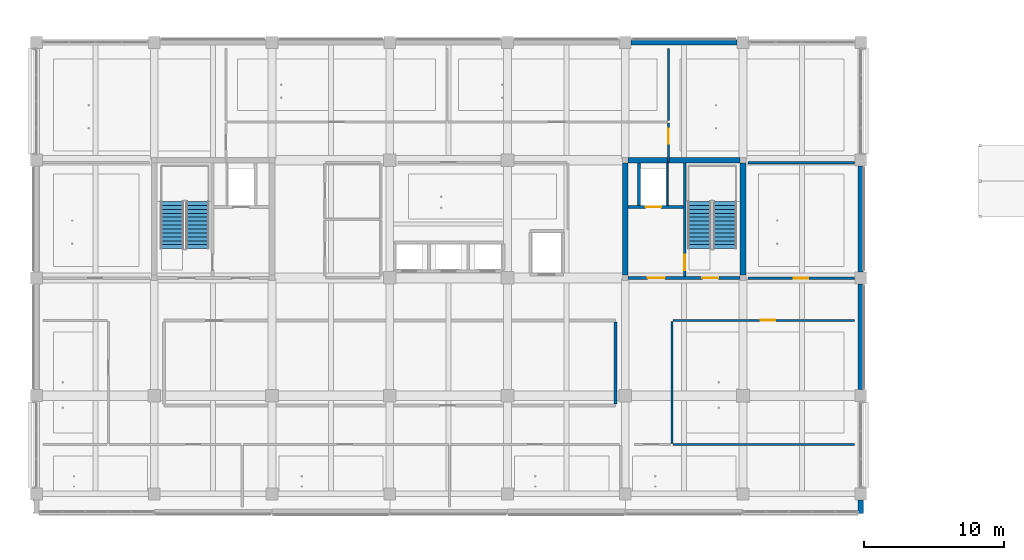
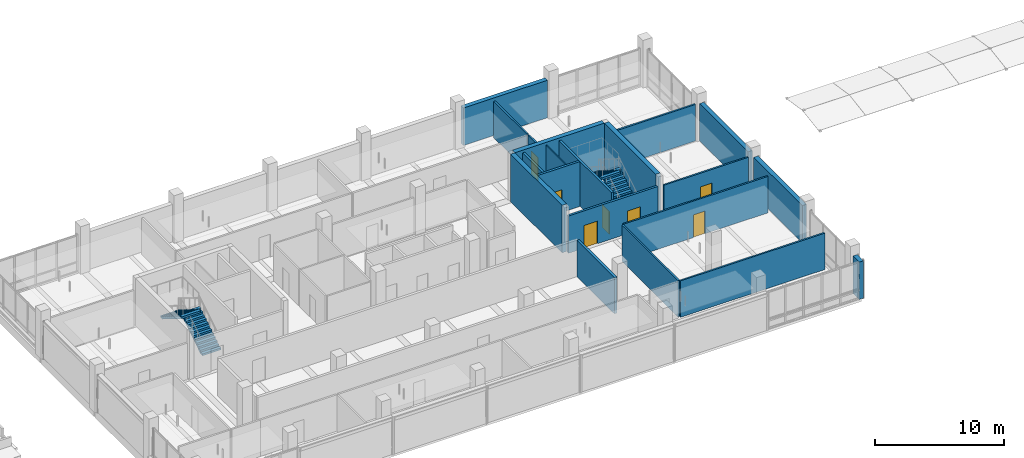
# One storey, part 14 of 39: 20 walls, 7 doors, 4 stair flights, 7 openings, 2 elements without a shape of their own.
"""IFC4 building model written with IfcOpenShell, lengths in metres."""

from ifc_helpers import new_model, si_unit, direction, frame, frame_2d, origin, place, context, subcontext, project, spatial, polyline, rectangle, outline, extrude, material, layer, layer_set, type_object, element, fill, aggregate, save


model = new_model("IFC4")

# Units and contexts
model_context = context("Model", 3, precision=1e-05, world=origin(), true_north=direction((0.0, 1.0)))
body_context = subcontext(model_context, "Body", "Model", "MODEL_VIEW")
ifc_project = project(units=[si_unit("LENGTHUNIT", "METRE"), si_unit("AREAUNIT", "SQUARE_METRE"), si_unit("VOLUMEUNIT", "CUBIC_METRE"), si_unit("PLANEANGLEUNIT", "RADIAN"), si_unit("MASSUNIT", "GRAM", prefix="KILO")], contexts=[model_context])

# Site, building, storey
site_placement = place(None, origin())
site = spatial("IfcSite", under=ifc_project, at=site_placement, CompositionType="ELEMENT")
building_placement = place(site_placement, origin())
building = spatial("IfcBuilding", under=site, at=building_placement, Name="Telukmera Botanical Conservatory", CompositionType="ELEMENT")
storey_placement = place(building_placement, frame((0.0, 0.0, 19.5)))
storey = spatial("IfcBuildingStorey", under=building, at=storey_placement, Name="L04", CompositionType="ELEMENT", Elevation=19.5)

# Walls
ifc_material_1 = material(Name="Terracotta-faced precast concrete C40/50", Category="masonry")
ifc_layer_1 = layer(ifc_material_1, 0.3798828125)
ifc_layer_set_1 = layer_set([ifc_layer_1], Name="Terracotta-faced precast concrete C40/50")
wall_type_1 = type_object("IfcWallType", Name="Exterior Herbarium Vault Insulated Precast Wall 380", PredefinedType="SOLIDWALL", material=ifc_layer_set_1)
wall_1_placement = place(storey_placement, frame((109.199951171875, 9.199951171875, 0.0), z_axis=(0.0, 0.0, 1.0), x_axis=(0.0, 1.0, 0.0)))
element("IfcWall", 1, at=wall_1_placement, inside=storey, type_object=wall_type_1, Name="Exterior Precast Wall EW04 V4:L04:SEC", PredefinedType="SOLIDWALL", context=body_context, shape_type="SweptSolid", body=[
    extrude(rectangle(XDim=0.97314453125, YDim=0.3798828125, at=frame_2d((0.486572265625, 0.0))), origin(), (0.0, 0.0, 1.0), 3.550048828125),
])
wall_2_placement = place(storey_placement, frame((92.826904296875, 42.800048828125, 0.0), z_axis=(0.0, 0.0, 1.0), x_axis=(1.0, 0.0, 0.0)))
element("IfcWall", 2, at=wall_2_placement, inside=storey, type_object=wall_type_1, Name="Exterior Precast Wall EW04 V4:L04:N6", PredefinedType="SOLIDWALL", context=body_context, shape_type="SweptSolid", body=[
    extrude(rectangle(XDim=7.546142578125, YDim=0.3798828125, at=frame_2d((3.77294921875, 0.0))), origin(), (0.0, 0.0, 1.0), 3.550048828125),
])
for number, where, z_axis, x_axis, name in (
    (3, (109.199951171875, 18.027099609375, 0.0), (0.0, 0.0, 1.0), (0.0, 1.0, 0.0), "Exterior Precast Wall EW04 V4:L04:E2"),
    (4, (109.199951171875, 26.427001953125, 0.0), (0.0, 0.0, 1.0), (0.0, 1.0, 0.0), "Exterior Precast Wall EW04 V4:L04:E3"),
):
    element("IfcWall", number, at=place(storey_placement, frame(where, z_axis=z_axis, x_axis=x_axis)), inside=storey, type_object=wall_type_1, Name=name, PredefinedType="SOLIDWALL", context=body_context, shape_type="SweptSolid", body=[
        extrude(rectangle(XDim=7.5458984375, YDim=0.3798828125, at=frame_2d((3.77294921875, 0.0))), origin(), (0.0, 0.0, 1.0), 3.550048828125),
    ])

# Wall, openings, doors
ifc_material_2 = material(Name="Concrete C40/50", Category="concrete")
ifc_layer_2 = layer(ifc_material_2, 0.199951171875)
ifc_layer_set_2 = layer_set([ifc_layer_2], Name="Concrete C40/50")
wall_type_2 = type_object("IfcWallType", Name="WT-CORE-200", PredefinedType="SOLIDWALL", material=ifc_layer_set_2)
wall_3_placement = place(storey_placement, frame((92.60009765625, 26.0, 0.0), z_axis=(0.0, 0.0, 1.0), x_axis=(1.0, 0.0, 0.0)))
wall_3 = element("IfcWall", 5, at=wall_3_placement, inside=storey, type_object=wall_type_2, Name="L04 Core C2 South Fire Wall", PredefinedType="SOLIDWALL", context=body_context, shape_type="SweptSolid", body=[
    extrude(rectangle(XDim=8.0, YDim=0.199951171875, at=frame_2d((4.0, 0.0))), origin(), (0.0, 0.0, 1.0), 3.530029296875),
])
opening_1_placement = place(wall_3_placement, frame((1.39990234375, 0.0, 0.0)))
opening_1 = element("IfcOpeningElement", 6, at=opening_1_placement, cuts=wall_3, Name="Opening FD60C", PredefinedType="OPENING", context=body_context, shape_type="SweptSolid", body=[
    extrude(rectangle(XDim=1.219970703125, YDim=2.14990234375, at=frame_2d((0.60986328125, 1.074951171875))), frame((0.0, 0.10986328125, 0.0), z_axis=(0.0, -1.0, 0.0), x_axis=(1.0, 0.0, 0.0)), (0.0, 0.0, 1.0), 0.219970703125),
])
opening_2_placement = place(wall_3_placement, frame((5.300048828125, 0.0, 0.0)))
opening_2 = element("IfcOpeningElement", 7, at=opening_2_placement, cuts=wall_3, Name="Opening FD60A", PredefinedType="OPENING", context=body_context, shape_type="SweptSolid", body=[
    extrude(rectangle(XDim=1.14990234375, YDim=2.14990234375, at=frame_2d((0.574951171875, 1.074951171875))), frame((0.0, 0.10986328125, 0.0), z_axis=(0.0, -1.0, 0.0), x_axis=(1.0, 0.0, 0.0)), (0.0, 0.0, 1.0), 0.219970703125),
])
ifc_material_3 = material(Name="Hardwood fire door", Category="wood")
door_type_1 = type_object("IfcDoorType", Name="DT-FD60-01", OperationType="NOTDEFINED", PredefinedType="DOOR", material=ifc_material_3)
door_1_placement = place(opening_2_placement, origin())
door_1 = element("IfcDoor", 8, at=door_1_placement, inside=storey, type_object=door_type_1, Name="L04 Stair ST2 Escape Door", OperationType="SINGLE_SWING_LEFT", OverallHeight=2.14990234375, OverallWidth=1.14990234375, PredefinedType="DOOR", context=body_context, shape_type="SweptSolid", body=[
    extrude(rectangle(XDim=1.14990234375, YDim=2.14990234375, at=frame_2d((0.574951171875, 1.074951171875))), frame((0.0, 0.02490234375, 0.0), z_axis=(0.0, -1.0, 0.0), x_axis=(1.0, 0.0, 0.0)), (0.0, 0.0, 1.0), 0.050048828125),
])
fill(opening_2, door_1)
door_type_2 = type_object("IfcDoorType", Name="DT-FD60-03", OperationType="NOTDEFINED", PredefinedType="DOOR", material=ifc_material_3)
door_2_placement = place(opening_1_placement, origin())
door_2 = element("IfcDoor", 9, at=door_2_placement, inside=storey, type_object=door_type_2, Name="L04 Firefighting Lobby C2 Door", OperationType="SINGLE_SWING_RIGHT", OverallHeight=2.14990234375, OverallWidth=1.219970703125, PredefinedType="DOOR", context=body_context, shape_type="SweptSolid", body=[
    extrude(rectangle(XDim=1.219970703125, YDim=2.14990234375, at=frame_2d((0.60986328125, 1.074951171875))), frame((0.0, 0.02490234375, 0.0), z_axis=(0.0, -1.0, 0.0), x_axis=(1.0, 0.0, 0.0)), (0.0, 0.0, 1.0), 0.050048828125),
])
fill(opening_1, door_2)

# Wall, opening, door
wall_4_placement = place(storey_placement, frame((96.64990234375, 26.10009765625, 0.0), z_axis=(0.0, 0.0, 1.0), x_axis=(0.0, 1.0, 0.0)))
wall_4 = element("IfcWall", 10, at=wall_4_placement, inside=storey, type_object=wall_type_2, Name="L04 Core C2 Stair-Lobby Wall", PredefinedType="SOLIDWALL", context=body_context, shape_type="SweptSolid", body=[
    extrude(rectangle(XDim=8.099853515625, YDim=0.199951171875, at=frame_2d((4.0498046875, 0.0))), origin(), (0.0, 0.0, 1.0), 4.25),
])
opening_3_placement = place(wall_4_placement, frame((0.449951171875, 0.0, 0.0)))
opening_3 = element("IfcOpeningElement", 11, at=opening_3_placement, cuts=wall_4, Name="Opening FD60B", PredefinedType="OPENING", context=body_context, shape_type="SweptSolid", body=[
    extrude(rectangle(XDim=1.1201171875, YDim=2.14990234375, at=frame_2d((0.56005859375, 1.074951171875))), frame((0.0, 0.10986328125, 0.0), z_axis=(0.0, -1.0, 0.0), x_axis=(1.0, 0.0, 0.0)), (0.0, 0.0, 1.0), 0.219970703125),
])
door_type_3 = type_object("IfcDoorType", Name="DT-FD60-02", OperationType="NOTDEFINED", PredefinedType="DOOR", material=ifc_material_3)
door_3_placement = place(opening_3_placement, frame((1.1201171875, 0.0, 0.0), z_axis=(0.0, 0.0, 1.0), x_axis=(-1.0, 0.0, 0.0)))
door_3 = element("IfcDoor", 12, at=door_3_placement, inside=storey, type_object=door_type_3, Name="L04 Firefighting Lobby C2 to ST2 Door", OperationType="SINGLE_SWING_RIGHT", OverallHeight=2.14990234375, OverallWidth=1.1201171875, PredefinedType="DOOR", context=body_context, shape_type="SweptSolid", body=[
    extrude(rectangle(XDim=1.1201171875, YDim=2.14990234375, at=frame_2d((0.56005859375, 1.074951171875))), frame((0.0, 0.02490234375, 0.0), z_axis=(0.0, -1.0, 0.0), x_axis=(1.0, 0.0, 0.0)), (0.0, 0.0, 1.0), 0.050048828125),
])
fill(opening_3, door_3)

wall_5_placement = place(storey_placement, frame((92.60009765625, 31.050048828125, 0.0), z_axis=(0.0, 0.0, 1.0), x_axis=(1.0, 0.0, 0.0)))
wall_5 = element("IfcWall", 13, at=wall_5_placement, inside=storey, type_object=wall_type_2, Name="L04 Fire Lift FL2 Shaft Front Wall", PredefinedType="SOLIDWALL", context=body_context, shape_type="SweptSolid", body=[
    extrude(rectangle(XDim=3.949951171875, YDim=0.199951171875, at=frame_2d((1.97509765625, 0.0))), origin(), (0.0, 0.0, 1.0), 4.25),
])
opening_4_placement = place(wall_5_placement, frame((1.25, 0.0, 0.0)))
opening_4 = element("IfcOpeningElement", 14, at=opening_4_placement, cuts=wall_5, Name="Opening LD01", PredefinedType="OPENING", context=body_context, shape_type="SweptSolid", body=[
    extrude(rectangle(XDim=1.10009765625, YDim=2.14990234375, at=frame_2d((0.550048828125, 1.074951171875))), frame((0.0, 0.10986328125, 0.0), z_axis=(0.0, -1.0, 0.0), x_axis=(1.0, 0.0, 0.0)), (0.0, 0.0, 1.0), 0.219970703125),
])
ifc_material_4 = material(Name="Stainless steel 316", Category="steel")
door_type_4 = type_object("IfcDoorType", Name="DT-LD01", OperationType="SLIDING_TO_LEFT", PredefinedType="DOOR", material=ifc_material_4)
door_4_placement = place(opening_4_placement, frame((1.10009765625, 0.0, 0.0), z_axis=(0.0, 0.0, 1.0), x_axis=(-1.0, 0.0, 0.0)))
door_4 = element("IfcDoor", 15, at=door_4_placement, inside=storey, type_object=door_type_4, Name="L04 Lift Landing Door FL2", OperationType="SLIDING_TO_LEFT", OverallHeight=2.14990234375, OverallWidth=1.10009765625, PredefinedType="DOOR", context=body_context, shape_type="SweptSolid", body=[
    extrude(rectangle(XDim=1.10009765625, YDim=2.14990234375, at=frame_2d((0.550048828125, 1.074951171875))), frame((0.0, 0.02490234375, 0.0), z_axis=(0.0, -1.0, 0.0), x_axis=(1.0, 0.0, 0.0)), (0.0, 0.0, 1.0), 0.050048828125),
])
fill(opening_4, door_4)

# Walls
wall_6_placement = place(storey_placement, frame((93.3798828125, 31.14990234375, 0.0), z_axis=(0.0, 0.0, 1.0), x_axis=(0.0, 1.0, 0.0)))
element("IfcWall", 16, at=wall_6_placement, inside=storey, type_object=wall_type_2, Name="L04 Fire Lift FL2 Shaft West Wall", PredefinedType="SOLIDWALL", context=body_context, shape_type="SweptSolid", body=[
    extrude(rectangle(XDim=3.050048828125, YDim=0.199951171875, at=frame_2d((1.52490234375, 0.0))), origin(), (0.0, 0.0, 1.0), 4.25),
])
ifc_material_5 = material(Name="Gypsum acoustic stud partition")
ifc_layer_3 = layer(ifc_material_5, 0.159912109375)
ifc_layer_set_3 = layer_set([ifc_layer_3], Name="Gypsum acoustic stud partition")
wall_type_3 = type_object("IfcWallType", Name="WT-LAB-160", PredefinedType="PARTITIONING", material=ifc_layer_set_3)
wall_7_placement = place(storey_placement, frame((101.14990234375, 34.22509765625, 0.0), z_axis=(0.0, 0.0, 1.0), x_axis=(1.0, 0.0, 0.0)))
element("IfcWall", 17, at=wall_7_placement, inside=storey, type_object=wall_type_3, Name="L04 Interior Partition 12", PredefinedType="PARTITIONING", context=body_context, shape_type="SweptSolid", body=[
    extrude(rectangle(XDim=7.59521484375, YDim=0.159912109375, at=frame_2d((3.797607421875, 0.0))), origin(), (0.0, 0.0, 1.0), 3.449951171875),
])

# Wall, opening, door
wall_8_placement = place(storey_placement, frame((95.47509765625, 34.300048828125, 0.0), z_axis=(0.0, 0.0, 1.0), x_axis=(0.0, 1.0, 0.0)))
wall_8 = element("IfcWall", 18, at=wall_8_placement, inside=storey, type_object=wall_type_3, Name="L04 Interior Partition 30", PredefinedType="PARTITIONING", context=body_context, shape_type="SweptSolid", body=[
    extrude(rectangle(XDim=2.73486328125, YDim=0.159912109375, at=frame_2d((1.367431640625, 0.0))), origin(), (0.0, 0.0, 1.0), 3.449951171875),
])
opening_5_placement = place(wall_8_placement, frame((1.278076171875, 0.0, 0.0)))
opening_5 = element("IfcOpeningElement", 19, at=opening_5_placement, cuts=wall_8, Name="Opening ID12", PredefinedType="OPENING", context=body_context, shape_type="SweptSolid", body=[
    extrude(rectangle(XDim=1.06005859375, YDim=2.179931640625, at=frame_2d((0.530029296875, 1.08984375))), frame((0.0, 0.08984375, 0.0), z_axis=(0.0, -1.0, 0.0), x_axis=(1.0, 0.0, 0.0)), (0.0, 0.0, 1.0), 0.179931640625),
])
ifc_material_6 = material(Name="Light-tight microscopy door")
door_type_5 = type_object("IfcDoorType", Name="DT-MIC-106", OperationType="NOTDEFINED", PredefinedType="DOOR", material=ifc_material_6)
door_5_placement = place(opening_5_placement, frame((1.06005859375, 0.0, 0.0), z_axis=(0.0, 0.0, 1.0), x_axis=(-1.0, 0.0, 0.0)))
door_5 = element("IfcDoor", 20, at=door_5_placement, inside=storey, type_object=door_type_5, Name="L04 Palynology Microscopy Laboratory Door", OperationType="SINGLE_SWING_LEFT", OverallHeight=2.179931640625, OverallWidth=1.06005859375, PredefinedType="DOOR", context=body_context, shape_type="SweptSolid", body=[
    extrude(rectangle(XDim=1.06005859375, YDim=2.179931640625, at=frame_2d((0.530029296875, 1.08984375))), frame((0.0, 0.02490234375, 0.0), z_axis=(0.0, -1.0, 0.0), x_axis=(1.0, 0.0, 0.0)), (0.0, 0.0, 1.0), 0.050048828125),
])
fill(opening_5, door_5)

# Walls
wall_9_placement = place(storey_placement, frame((95.47509765625, 37.215087890625, 0.0), z_axis=(0.0, 0.0, 1.0), x_axis=(0.0, 1.0, 0.0)))
element("IfcWall", 21, at=wall_9_placement, inside=storey, type_object=wall_type_3, Name="L04 Interior Partition 33", PredefinedType="PARTITIONING", context=body_context, shape_type="SweptSolid", body=[
    extrude(rectangle(XDim=5.135009765625, YDim=0.159912109375, at=frame_2d((2.5673828125, 0.0))), origin(), (0.0, 0.0, 1.0), 3.449951171875),
])
ifc_material_7 = material(Name="Gypsum shaftwall liner")
ifc_layer_4 = layer(ifc_material_7, 0.110107421875)
ifc_layer_set_4 = layer_set([ifc_layer_4], Name="Gypsum shaftwall liner")
wall_type_4 = type_object("IfcWallType", Name="WT-RISER-110", PredefinedType="PARTITIONING", material=ifc_layer_set_4)
wall_10_placement = place(storey_placement, frame((95.419921875, 31.14990234375, 0.0), z_axis=(0.0, 0.0, 1.0), x_axis=(0.0, 1.0, 0.0)))
element("IfcWall", 22, at=wall_10_placement, inside=storey, type_object=wall_type_4, Name="L04 Wet Riser C2 Shaft Wall", PredefinedType="PARTITIONING", context=body_context, shape_type="SweptSolid", body=[
    extrude(rectangle(XDim=3.050048828125, YDim=0.110107421875, at=frame_2d((1.52490234375, 0.0))), origin(), (0.0, 0.0, 1.0), 4.25),
])

# Wall, opening, door
ifc_layer_5 = layer(ifc_material_5, 0.14990234375)
ifc_layer_set_5 = layer_set([ifc_layer_5], Name="Gypsum acoustic stud partition")
wall_type_5 = type_object("IfcWallType", Name="WT-STD-150", PredefinedType="PARTITIONING", material=ifc_layer_set_5)
wall_11_placement = place(storey_placement, frame((101.14990234375, 25.97509765625, 0.0), z_axis=(0.0, 0.0, 1.0), x_axis=(1.0, 0.0, 0.0)))
wall_11 = element("IfcWall", 23, at=wall_11_placement, inside=storey, type_object=wall_type_5, Name="L04 Interior Partition 11", PredefinedType="PARTITIONING", context=body_context, shape_type="SweptSolid", body=[
    extrude(rectangle(XDim=7.59521484375, YDim=0.14990234375, at=frame_2d((3.797607421875, 0.0))), origin(), (0.0, 0.0, 1.0), 3.449951171875),
])
opening_6_placement = place(wall_11_placement, frame((3.277587890625, 0.0, 0.0)))
opening_6 = element("IfcOpeningElement", 24, at=opening_6_placement, cuts=wall_11, Name="Opening ID13", PredefinedType="OPENING", context=body_context, shape_type="SweptSolid", body=[
    extrude(rectangle(XDim=1.0400390625, YDim=2.14990234375, at=frame_2d((0.52001953125, 1.074951171875))), frame((0.0, 0.0849609375, 0.0), z_axis=(0.0, -1.0, 0.0), x_axis=(1.0, 0.0, 0.0)), (0.0, 0.0, 1.0), 0.169921875),
])
ifc_material_8 = material(Name="Hardwood curation studio door", Category="wood")
door_type_6 = type_object("IfcDoorType", Name="DT-CUR-104", OperationType="NOTDEFINED", PredefinedType="DOOR", material=ifc_material_8)
door_6_placement = place(opening_6_placement, origin())
door_6 = element("IfcDoor", 25, at=door_6_placement, inside=storey, type_object=door_type_6, Name="L04 Herbarium Digitization Studio Door", OperationType="SINGLE_SWING_LEFT", OverallHeight=2.14990234375, OverallWidth=1.0400390625, PredefinedType="DOOR", context=body_context, shape_type="SweptSolid", body=[
    extrude(rectangle(XDim=1.0400390625, YDim=2.14990234375, at=frame_2d((0.52001953125, 1.074951171875))), frame((0.0, 0.02490234375, 0.0), z_axis=(0.0, -1.0, 0.0), x_axis=(1.0, 0.0, 0.0)), (0.0, 0.0, 1.0), 0.050048828125),
])
fill(opening_6, door_6)

wall_12_placement = place(storey_placement, frame((95.800048828125, 22.97509765625, 0.0), z_axis=(0.0, 0.0, 1.0), x_axis=(1.0, 0.0, 0.0)))
wall_12 = element("IfcWall", 26, at=wall_12_placement, inside=storey, type_object=wall_type_5, Name="L04 Interior Partition 14", PredefinedType="PARTITIONING", context=body_context, shape_type="SweptSolid", body=[
    extrude(rectangle(XDim=12.949951171875, YDim=0.14990234375, at=frame_2d((6.47509765625, 0.0))), origin(), (0.0, 0.0, 1.0), 3.449951171875),
])
opening_7_placement = place(wall_12_placement, frame((6.25537109375, 0.0, 0.0)))
opening_7 = element("IfcOpeningElement", 27, at=opening_7_placement, cuts=wall_12, Name="Opening ID13", PredefinedType="OPENING", context=body_context, shape_type="SweptSolid", body=[
    extrude(rectangle(XDim=1.0400390625, YDim=2.14990234375, at=frame_2d((0.52001953125, 1.074951171875))), frame((0.0, 0.0849609375, 0.0), z_axis=(0.0, -1.0, 0.0), x_axis=(1.0, 0.0, 0.0)), (0.0, 0.0, 1.0), 0.169921875),
])
door_7_placement = place(opening_7_placement, frame((1.0400390625, 0.0, 0.0), z_axis=(0.0, 0.0, 1.0), x_axis=(-1.0, 0.0, 0.0)))
door_7 = element("IfcDoor", 28, at=door_7_placement, inside=storey, type_object=door_type_6, Name="L04 East Herbarium Curation Studio Door", OperationType="SINGLE_SWING_LEFT", OverallHeight=2.14990234375, OverallWidth=1.0400390625, PredefinedType="DOOR", context=body_context, shape_type="SweptSolid", body=[
    extrude(rectangle(XDim=1.0400390625, YDim=2.14990234375, at=frame_2d((0.52001953125, 1.074951171875))), frame((0.0, 0.02490234375, 0.0), z_axis=(0.0, -1.0, 0.0), x_axis=(1.0, 0.0, 0.0)), (0.0, 0.0, 1.0), 0.050048828125),
])
fill(opening_7, door_7)

# Walls
wall_13_placement = place(storey_placement, frame((95.72509765625, 14.199951171875, 0.0), z_axis=(0.0, 0.0, 1.0), x_axis=(0.0, 1.0, 0.0)))
element("IfcWall", 29, at=wall_13_placement, inside=storey, type_object=wall_type_5, Name="L04 Interior Partition 17", PredefinedType="PARTITIONING", context=body_context, shape_type="SweptSolid", body=[
    extrude(rectangle(XDim=8.68994140625, YDim=0.14990234375, at=frame_2d((4.344970703125, 0.0))), origin(), (0.0, 0.0, 1.0), 3.449951171875),
])
wall_14_placement = place(storey_placement, frame((95.81005859375, 14.125, 0.0), z_axis=(0.0, 0.0, 1.0), x_axis=(1.0, 0.0, 0.0)))
element("IfcWall", 30, at=wall_14_placement, inside=storey, type_object=wall_type_5, Name="L04 Interior Partition 23", PredefinedType="PARTITIONING", context=body_context, shape_type="SweptSolid", body=[
    extrude(rectangle(XDim=12.93994140625, YDim=0.14990234375, at=frame_2d((6.469970703125, 0.0))), origin(), (0.0, 0.0, 1.0), 3.449951171875),
])
ifc_layer_6 = layer(ifc_material_2, 0.219970703125)
ifc_layer_set_6 = layer_set([ifc_layer_6], Name="Concrete C40/50")
wall_type_6 = type_object("IfcWallType", Name="WT-VAULT-220", PredefinedType="SOLIDWALL", material=ifc_layer_set_6)
wall_15_placement = place(storey_placement, frame((91.699951171875, 17.010009765625, 0.0), z_axis=(0.0, 0.0, 1.0), x_axis=(0.0, 1.0, 0.0)))
element("IfcWall", 31, at=wall_15_placement, inside=storey, type_object=wall_type_6, Name="L04 Herbarium Vault East 2hr Wall", PredefinedType="SOLIDWALL", context=body_context, shape_type="SweptSolid", body=[
    extrude(rectangle(XDim=5.830078125, YDim=0.219970703125, at=frame_2d((2.9150390625, 0.0))), origin(), (0.0, 0.0, 1.0), 3.449951171875),
])
ifc_material_9 = material(Name="Concrete C50/60", Category="concrete")
ifc_layer_7 = layer(ifc_material_9, 0.39990234375)
ifc_layer_set_7 = layer_set([ifc_layer_7], Name="Concrete C50/60")
wall_type_7 = type_object("IfcWallType", Name="Wall_CW1", PredefinedType="SHEAR", material=ifc_layer_set_7)
for number, where, z_axis, x_axis, name in (
    (32, (92.39990234375, 26.199951171875, 0.0), (0.0, 0.0, 1.0), (0.0, 1.0, 0.0), "Core C2 Shear Wall West L04"),
    (33, (100.800048828125, 26.199951171875, 0.0), (0.0, 0.0, 1.0), (0.0, 1.0, 0.0), "Core C2 Shear Wall East L04"),
    (34, (92.60009765625, 34.39990234375, 0.0), (0.0, 0.0, 1.0), (1.0, 0.0, 0.0), "Core C2 Shear Wall North L04"),
):
    element("IfcWall", number, at=place(storey_placement, frame(where, z_axis=z_axis, x_axis=x_axis)), inside=storey, type_object=wall_type_7, Name=name, PredefinedType="SHEAR", context=body_context, shape_type="SweptSolid", body=[
        extrude(rectangle(XDim=8.0, YDim=0.39990234375, at=frame_2d((4.0, 0.0))), origin(), (0.0, 0.0, 1.0), 4.5),
    ])

# Stair, stair flights
stair_type = type_object("IfcStairType", Name="ST-ESC-4500", PredefinedType="HALF_TURN_STAIR", material=ifc_material_2)
stair_1_placement = place(storey_placement, origin())
stair_1 = element("IfcStair", 35, at=stair_1_placement, inside=storey, type_object=stair_type, Name="L04 Protected Escape Stair ST1", PredefinedType="HALF_TURN_STAIR")
stair_flight_type = type_object("IfcStairFlightType", Name="SF-ESC-4500", PredefinedType="STRAIGHT", material=ifc_material_2)
stair_flight_1_placement = place(storey_placement, frame((61.89990234375, 28.090087890625, 0.0), z_axis=(0.0, 0.0, 1.0), x_axis=(0.0, 1.0, 0.0)))
stair_flight_1 = element("IfcStairFlight", 36, at=stair_flight_1_placement, type_object=stair_flight_type, Name="ST1 flight 1", NumberOfRisers=13, NumberOfTreads=12, PredefinedType="STRAIGHT", RiserHeight=0.173076923, TreadLength=0.28, context=body_context, shape_type="SweptSolid", body=[
    extrude(outline(polyline([(0.0, 0.0), (0.0, 0.173095703125), (0.280029296875, 0.173095703125), (0.280029296875, 0.34619140625), (0.56005859375, 0.34619140625), (0.56005859375, 0.519287109375), (0.840087890625, 0.519287109375), (0.840087890625, 0.6923828125), (1.1201171875, 0.6923828125), (1.1201171875, 0.865478515625), (1.39990234375, 0.865478515625), (1.39990234375, 1.03857421875), (1.679931640625, 1.03857421875), (1.679931640625, 1.21142578125), (1.9599609375, 1.21142578125), (1.9599609375, 1.384521484375), (2.239990234375, 1.384521484375), (2.239990234375, 1.5576171875), (2.52001953125, 1.5576171875), (2.52001953125, 1.730712890625), (2.800048828125, 1.730712890625), (2.800048828125, 1.90380859375), (3.080078125, 1.90380859375), (3.080078125, 2.076904296875), (3.360107421875, 2.076904296875), (3.360107421875, 2.25), (3.360107421875, 1.888916015625), (0.30419921875, 0.0), (0.0, 0.0)])), frame((0.0, 0.830078125, 0.0), z_axis=(0.0, -1.0, 0.0), x_axis=(1.0, 0.0, 0.0)), (0.0, 0.0, 1.0), 1.659912109375),
])
stair_flight_2_placement = place(storey_placement, frame((60.080078125, 31.449951171875, 2.25), z_axis=(0.0, 0.0, 1.0), x_axis=(0.0, -1.0, 0.0)))
stair_flight_2 = element("IfcStairFlight", 37, at=stair_flight_2_placement, type_object=stair_flight_type, Name="ST1 flight 2", NumberOfRisers=13, NumberOfTreads=12, PredefinedType="STRAIGHT", RiserHeight=0.173076923, TreadLength=0.28, context=body_context, shape_type="SweptSolid", body=[
    extrude(outline(polyline([(0.0, 0.0), (0.0, 0.173095703125), (0.280029296875, 0.173095703125), (0.280029296875, 0.34619140625), (0.56005859375, 0.34619140625), (0.56005859375, 0.519287109375), (0.840087890625, 0.519287109375), (0.840087890625, 0.6923828125), (1.1201171875, 0.6923828125), (1.1201171875, 0.865478515625), (1.39990234375, 0.865478515625), (1.39990234375, 1.03857421875), (1.679931640625, 1.03857421875), (1.679931640625, 1.21142578125), (1.9599609375, 1.21142578125), (1.9599609375, 1.384521484375), (2.239990234375, 1.384521484375), (2.239990234375, 1.5576171875), (2.52001953125, 1.5576171875), (2.52001953125, 1.730712890625), (2.800048828125, 1.730712890625), (2.800048828125, 1.90380859375), (3.080078125, 1.90380859375), (3.080078125, 2.076904296875), (3.360107421875, 2.076904296875), (3.360107421875, 2.25), (3.360107421875, 1.888916015625), (0.30419921875, 0.0), (0.0, 0.0)])), frame((0.0, 0.830078125, 0.0), z_axis=(0.0, -1.0, 0.0), x_axis=(1.0, 0.0, 0.0)), (0.0, 0.0, 1.0), 1.659912109375),
])
aggregate(stair_1, [stair_flight_1, stair_flight_2])

stair_2_placement = place(storey_placement, origin())
stair_2 = element("IfcStair", 38, at=stair_2_placement, inside=storey, type_object=stair_type, Name="L04 Protected Escape Stair ST2", PredefinedType="HALF_TURN_STAIR")
stair_flight_3_placement = place(storey_placement, frame((99.52001953125, 28.090087890625, 0.0), z_axis=(0.0, 0.0, 1.0), x_axis=(0.0, 1.0, 0.0)))
stair_flight_3 = element("IfcStairFlight", 39, at=stair_flight_3_placement, type_object=stair_flight_type, Name="ST2 flight 1", NumberOfRisers=13, NumberOfTreads=12, PredefinedType="STRAIGHT", RiserHeight=0.173076923, TreadLength=0.28, context=body_context, shape_type="SweptSolid", body=[
    extrude(outline(polyline([(0.0, 0.0), (0.0, 0.173095703125), (0.280029296875, 0.173095703125), (0.280029296875, 0.34619140625), (0.56005859375, 0.34619140625), (0.56005859375, 0.519287109375), (0.840087890625, 0.519287109375), (0.840087890625, 0.6923828125), (1.1201171875, 0.6923828125), (1.1201171875, 0.865478515625), (1.39990234375, 0.865478515625), (1.39990234375, 1.03857421875), (1.679931640625, 1.03857421875), (1.679931640625, 1.21142578125), (1.9599609375, 1.21142578125), (1.9599609375, 1.384521484375), (2.239990234375, 1.384521484375), (2.239990234375, 1.5576171875), (2.52001953125, 1.5576171875), (2.52001953125, 1.730712890625), (2.800048828125, 1.730712890625), (2.800048828125, 1.90380859375), (3.080078125, 1.90380859375), (3.080078125, 2.076904296875), (3.360107421875, 2.076904296875), (3.360107421875, 2.25), (3.360107421875, 1.888916015625), (0.30419921875, 0.0), (0.0, 0.0)])), frame((0.0, 0.830078125, 0.0), z_axis=(0.0, -1.0, 0.0), x_axis=(1.0, 0.0, 0.0)), (0.0, 0.0, 1.0), 1.659912109375),
])
stair_flight_4_placement = place(storey_placement, frame((97.699951171875, 31.449951171875, 2.25), z_axis=(0.0, 0.0, 1.0), x_axis=(0.0, -1.0, 0.0)))
stair_flight_4 = element("IfcStairFlight", 40, at=stair_flight_4_placement, type_object=stair_flight_type, Name="ST2 flight 2", NumberOfRisers=13, NumberOfTreads=12, PredefinedType="STRAIGHT", RiserHeight=0.173076923, TreadLength=0.28, context=body_context, shape_type="SweptSolid", body=[
    extrude(outline(polyline([(0.0, 0.0), (0.0, 0.173095703125), (0.280029296875, 0.173095703125), (0.280029296875, 0.34619140625), (0.56005859375, 0.34619140625), (0.56005859375, 0.519287109375), (0.840087890625, 0.519287109375), (0.840087890625, 0.6923828125), (1.1201171875, 0.6923828125), (1.1201171875, 0.865478515625), (1.39990234375, 0.865478515625), (1.39990234375, 1.03857421875), (1.679931640625, 1.03857421875), (1.679931640625, 1.21142578125), (1.9599609375, 1.21142578125), (1.9599609375, 1.384521484375), (2.239990234375, 1.384521484375), (2.239990234375, 1.5576171875), (2.52001953125, 1.5576171875), (2.52001953125, 1.730712890625), (2.800048828125, 1.730712890625), (2.800048828125, 1.90380859375), (3.080078125, 1.90380859375), (3.080078125, 2.076904296875), (3.360107421875, 2.076904296875), (3.360107421875, 2.25), (3.360107421875, 1.888916015625), (0.30419921875, 0.0), (0.0, 0.0)])), frame((0.0, 0.830078125, 0.0), z_axis=(0.0, -1.0, 0.0), x_axis=(1.0, 0.0, 0.0)), (0.0, 0.0, 1.0), 1.659912109375),
])
aggregate(stair_2, [stair_flight_3, stair_flight_4])

save(model, "model.ifc")
